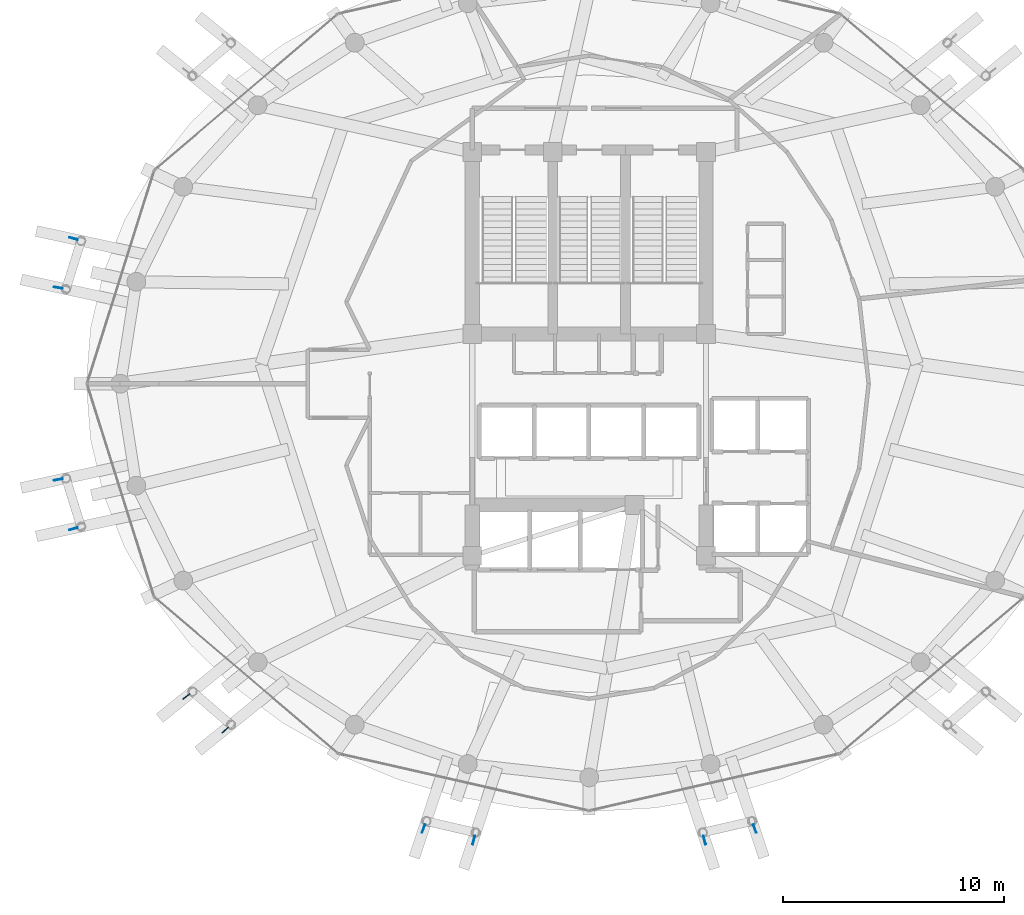
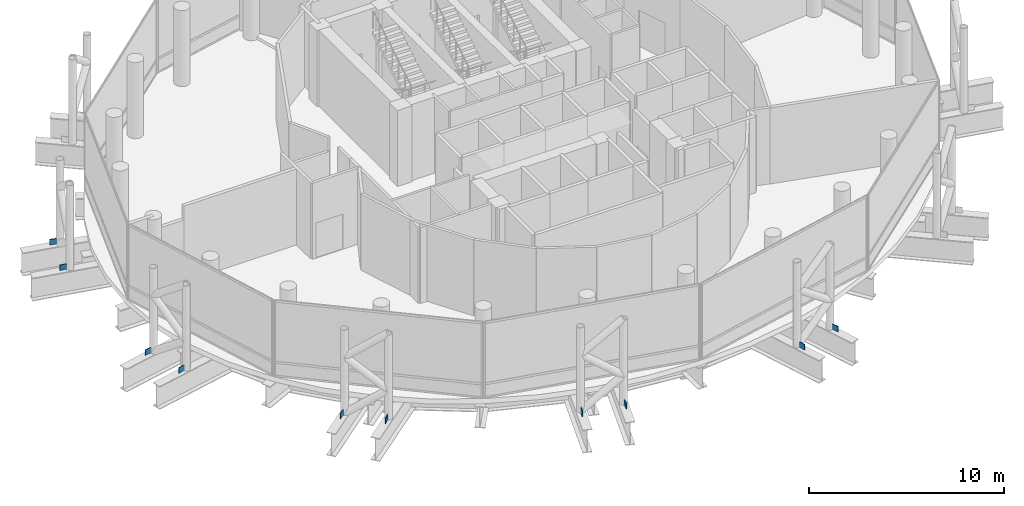
# One storey, part 27 of 31: 10 discrete accessories.
"""IFC4 building model written with IfcOpenShell, lengths in metres."""

from ifc_helpers import new_model, si_unit, direction, frame, origin, origin_2d, place, context, subcontext, project, spatial, rectangle, extrude, material, type_object, element, save


model = new_model("IFC4")

# Units and contexts
model_context = context("Model", 3, precision=1e-05, world=origin(), true_north=direction((0.0, 1.0)))
body_context = subcontext(model_context, "Body", "Model", "MODEL_VIEW")
ifc_project = project(units=[si_unit("LENGTHUNIT", "METRE"), si_unit("AREAUNIT", "SQUARE_METRE"), si_unit("VOLUMEUNIT", "CUBIC_METRE"), si_unit("PLANEANGLEUNIT", "RADIAN"), si_unit("MASSUNIT", "GRAM", prefix="KILO")], contexts=[model_context])

# Site, building, storey
site_placement = place(None, origin())
site = spatial("IfcSite", under=ifc_project, at=site_placement, CompositionType="ELEMENT")
building_placement = place(site_placement, origin())
building = spatial("IfcBuilding", under=site, at=building_placement, Name="Nuhasar Tower", CompositionType="ELEMENT")
storey_placement = place(building_placement, frame((0.0, 0.0, 203.14990234375)))
storey = spatial("IfcBuildingStorey", under=building, at=storey_placement, Name="L49", CompositionType="ELEMENT", Elevation=203.14990234375)

# Discrete accessories
ifc_material = material(Name="Steel S460", Category="steel")
discrete_accessory_type = type_object("IfcDiscreteAccessoryType", Name="ACC-GUS-40", PredefinedType="USERDEFINED", material=ifc_material)
for number, where, z_axis, x_axis, name in (
    (1, (15.626953125, 33.376953125, -0.320068359375), (0.0, 0.0, 1.0), (-0.962620870405, 0.27085246881, 0.0), "L49 Exoskeleton Chord Column EC-06A Gusset Plate"),
    (2, (14.93408203125, 31.14892578125, -0.320068359375), (0.0, 0.0, 1.0), (-0.984062430207, 0.177823320895, 0.0), "L49 Exoskeleton Chord Column EC-06B Gusset Plate"),
    (3, (14.93408203125, 22.450927734375, -0.320068359375), (0.0, 0.0, 1.0), (-0.984062430207, -0.177823320895, 0.0), "L49 Exoskeleton Chord Column EC-07A Gusset Plate"),
    (4, (15.626953125, 20.222900390625, -0.320068359375), (0.0, 0.0, 1.0), (-0.962620870405, -0.27085246881, 0.0), "L49 Exoskeleton Chord Column EC-07B Gusset Plate"),
    (5, (20.737060546875, 12.625, -0.320068359375), (0.0, 0.0, 1.0), (-0.789983825631, -0.613127682657, 0.0), "L49 Exoskeleton Chord Column EC-08A Gusset Plate"),
    (6, (22.50390625, 11.09912109375, -0.320068359375), (0.0, 0.0, 1.0), (-0.724352378593, -0.689429932355, 0.0), "L49 Exoskeleton Chord Column EC-08B Gusset Plate"),
    (7, (31.492919921875, 6.635986328125, -0.320068359375), (0.0, 0.0, 1.0), (-0.348915555693, -0.937154168211, 0.0), "L49 Exoskeleton Chord Column EC-09A Gusset Plate"),
    (8, (33.77001953125, 6.10888671875, -0.320068359375), (0.0, 0.0, 1.0), (-0.245036656105, -0.96951381484, 0.0), "L49 Exoskeleton Chord Column EC-09B Gusset Plate"),
    (9, (44.22998046875, 6.10888671875, -0.320068359375), (0.0, 0.0, 1.0), (0.245036656105, -0.96951381484, 0.0), "L49 Exoskeleton Chord Column EC-10A Gusset Plate"),
    (10, (46.507080078125, 6.635986328125, -0.320068359375), (0.0, 0.0, 1.0), (0.348915555693, -0.937154168211, 0.0), "L49 Exoskeleton Chord Column EC-10B Gusset Plate"),
):
    element("IfcDiscreteAccessory", number, at=place(storey_placement, frame(where, z_axis=z_axis, x_axis=x_axis)), inside=storey, type_object=discrete_accessory_type, Name=name, ObjectType="STEEL_GUSSET_PLATE", PredefinedType="USERDEFINED", context=body_context, shape_type="SweptSolid", body=[
        extrude(rectangle(XDim=0.39990234375, YDim=0.0400390625, at=origin_2d()), origin(), (0.0, 0.0, 1.0), 0.35009765625),
    ])

save(model, "model.ifc")
